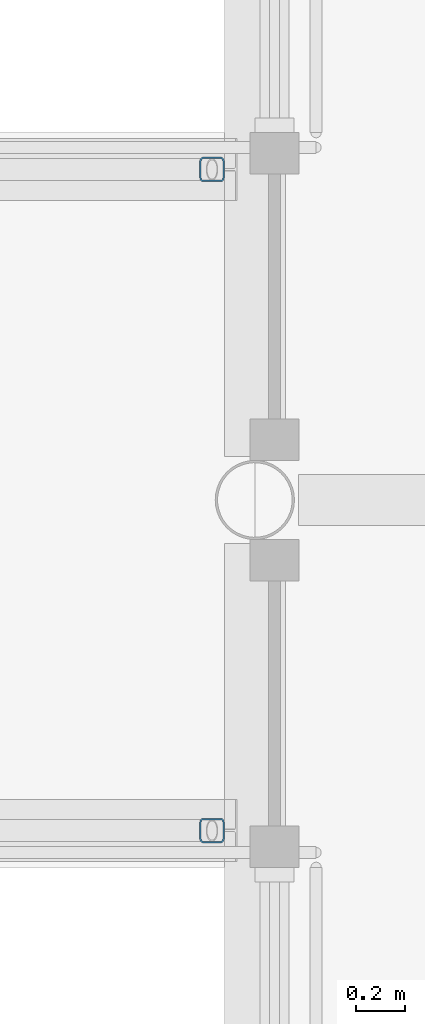
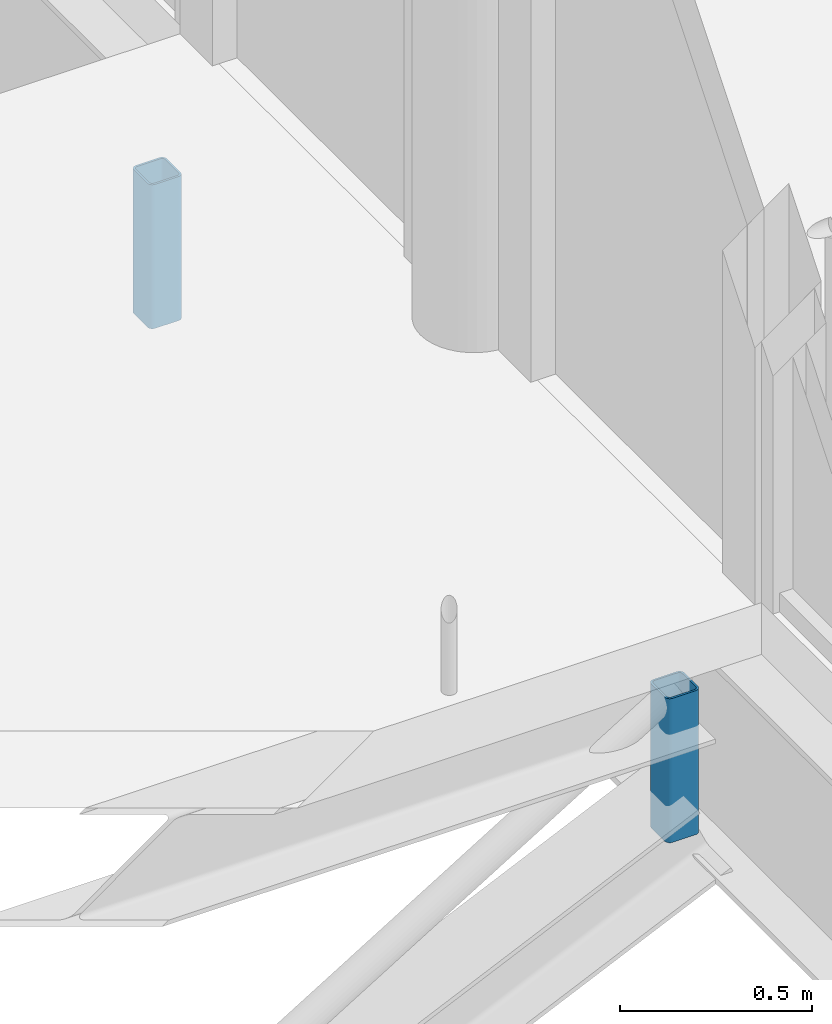
# One storey, part 33 of 61: 2 members.
"""IFC4 building model written with IfcOpenShell, lengths in metres."""

from ifc_helpers import new_model, si_unit, direction, frame, origin, origin_2d, place, context, subcontext, project, spatial, hollow_rectangle, extrude, material, material_profile, profile_set, type_object, element, save


model = new_model("IFC4")

# Units and contexts
model_context = context("Model", 3, precision=1e-05, world=origin(), true_north=direction((0.0, 1.0)))
body_context = subcontext(model_context, "Body", "Model", "MODEL_VIEW")
ifc_project = project(units=[si_unit("LENGTHUNIT", "METRE"), si_unit("AREAUNIT", "SQUARE_METRE"), si_unit("VOLUMEUNIT", "CUBIC_METRE"), si_unit("PLANEANGLEUNIT", "RADIAN"), si_unit("MASSUNIT", "GRAM", prefix="KILO")], contexts=[model_context])

# Site, building, storey
site_placement = place(None, origin())
site = spatial("IfcSite", under=ifc_project, at=site_placement, CompositionType="ELEMENT")
building_placement = place(site_placement, origin())
building = spatial("IfcBuilding", under=site, at=building_placement, Name="Halyard Row Museum", CompositionType="ELEMENT")
storey_placement = place(building_placement, frame((0.0, 0.0, 9.199951171875)))
storey = spatial("IfcBuildingStorey", under=building, at=storey_placement, Name="L02", CompositionType="ELEMENT", Elevation=9.199951171875)

# Members
ifc_material = material(Name="Steel Grade C350L0", Category="steel")
ifc_material_profile = material_profile(ifc_material, hollow_rectangle(XDim=0.10009765625, YDim=0.10009765625, WallThickness=0.006103515625, InnerFilletRadius=0.009033203125, OuterFilletRadius=0.014892578125, at=origin_2d()), Name="100x100x6.0SHS")
ifc_profile_set = profile_set([ifc_material_profile], Name="Steel Grade C350L0")
member_type = type_object("IfcMemberType", Name="Truss post 100x100x6.0SHS", PredefinedType="POST", material=ifc_profile_set)
for number, where, z_axis, x_axis, name in (
    (1, (98.824951171875, 16.64990234375, -0.750732421875), (0.0, 0.0, 1.0), (1.0, 0.0, 0.0), "BT1S post 7"),
    (2, (98.824951171875, 19.35009765625, -0.750732421875), (0.0, 0.0, 1.0), (1.0, 0.0, 0.0), "BT1N post 7"),
):
    element("IfcMember", number, at=place(storey_placement, frame(where, z_axis=z_axis, x_axis=x_axis)), inside=storey, type_object=member_type, Name=name, PredefinedType="POST", context=body_context, shape_type="SweptSolid", body=[
        extrude(hollow_rectangle(XDim=0.10009765625, YDim=0.10009765625, WallThickness=0.006103515625, InnerFilletRadius=0.009033203125, OuterFilletRadius=0.014892578125, at=origin_2d()), origin(), (0.0, 0.0, 1.0), 0.458984375),
    ])

save(model, "model.ifc")
